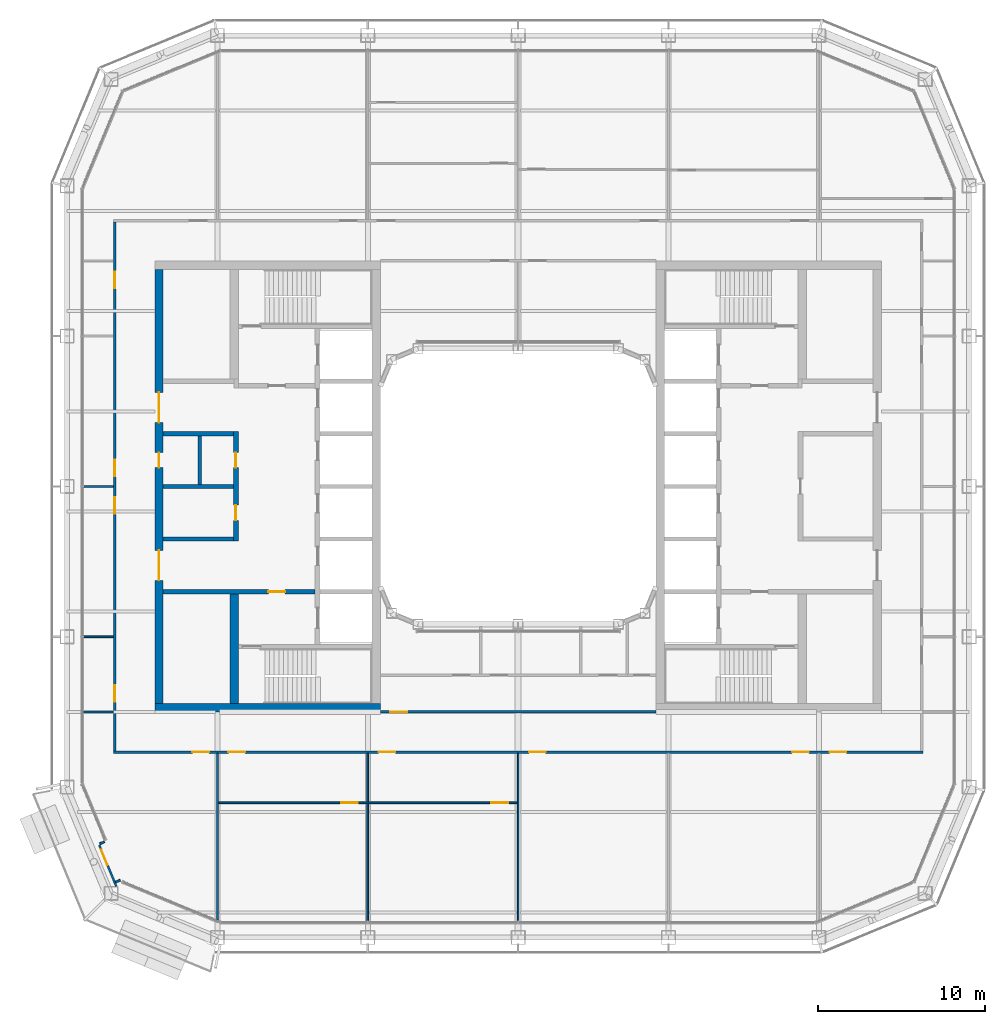
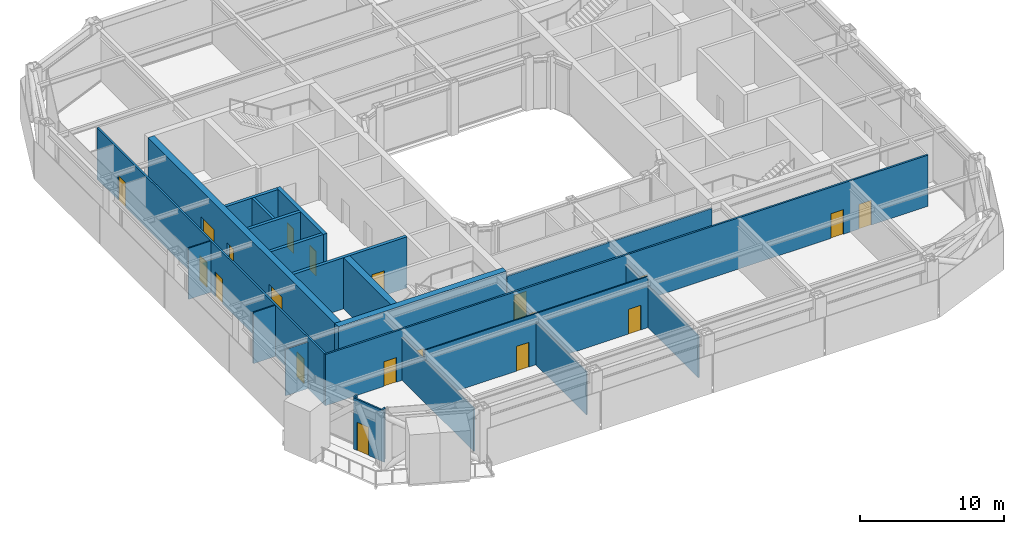
# One storey, part 13 of 24: 23 walls, 20 doors, 20 openings.
"""IFC4 building model written with IfcOpenShell, lengths in metres."""

from ifc_helpers import new_model, si_unit, direction, frame, frame_2d, origin, place, context, subcontext, project, spatial, rectangle, extrude, material, layer, layer_set, type_object, element, fill, save


model = new_model("IFC4")

# Units and contexts
model_context = context("Model", 3, precision=1e-05, world=origin(), true_north=direction((0.0, 1.0)))
body_context = subcontext(model_context, "Body", "Model", "MODEL_VIEW")
ifc_project = project(units=[si_unit("LENGTHUNIT", "METRE"), si_unit("AREAUNIT", "SQUARE_METRE"), si_unit("VOLUMEUNIT", "CUBIC_METRE"), si_unit("PLANEANGLEUNIT", "RADIAN"), si_unit("MASSUNIT", "GRAM", prefix="KILO")], contexts=[model_context])

# Site, building, storey
site_placement = place(None, origin())
site = spatial("IfcSite", under=ifc_project, at=site_placement, CompositionType="ELEMENT")
building_placement = place(site_placement, origin())
building = spatial("IfcBuilding", under=site, at=building_placement, Name="Siwar Civic Tower", CompositionType="ELEMENT")
storey_placement = place(building_placement, frame((0.0, 0.0, 215.199951171875)))
storey = spatial("IfcBuildingStorey", under=building, at=storey_placement, Name="L46", CompositionType="ELEMENT", Elevation=215.199951171875)

# Wall
ifc_material_1 = material(Name="Gypsum board on steel studs", Category="steel")
ifc_layer_1 = layer(ifc_material_1, 0.199951171875)
ifc_layer_set_1 = layer_set([ifc_layer_1], Name="Gypsum board on steel studs")
wall_type_1 = type_object("IfcWallType", Name="CORE-PARTITION-200", PredefinedType="PARTITIONING", material=ifc_layer_set_1)
wall_1_placement = place(storey_placement, frame((-19.050048828125, 0.125, 0.0), z_axis=(0.0, 0.0, 1.0), x_axis=(0.0, 1.0, 0.0)))
element("IfcWall", 1, at=wall_1_placement, inside=storey, type_object=wall_type_1, Name="Core partition W", PredefinedType="PARTITIONING", context=body_context, shape_type="SweptSolid", body=[
    extrude(rectangle(XDim=2.89990234375, YDim=0.199951171875, at=frame_2d((1.449951171875, 0.0))), origin(), (0.0, 0.0, 1.0), 4.35009765625),
])

# Wall, opening, door
ifc_material_2 = material(Name="Concrete C60/75", Category="concrete")
ifc_layer_2 = layer(ifc_material_2, 0.25)
ifc_layer_set_2 = layer_set([ifc_layer_2], Name="Concrete C60/75")
wall_type_2 = type_object("IfcWallType", Name="CORE-WALL-RC250", PredefinedType="SHEAR", material=ifc_layer_set_2)
wall_2_placement = place(storey_placement, frame((-12.14990234375, -6.300048828125, 0.0), z_axis=(0.0, 0.0, 1.0), x_axis=(-1.0, 0.0, 0.0)))
wall_2 = element("IfcWall", 2, at=wall_2_placement, inside=storey, type_object=wall_type_2, Name="Core wall W", PredefinedType="SHEAR", context=body_context, shape_type="SweptSolid", body=[
    extrude(rectangle(XDim=9.10009765625, YDim=0.25, at=frame_2d((4.550048828125, 0.0))), origin(), (0.0, 0.0, 1.0), 4.35009765625),
])
opening_1_placement = place(wall_2_placement, frame((1.800048828125, 0.0, 0.0)))
opening_1 = element("IfcOpeningElement", 3, at=opening_1_placement, cuts=wall_2, Name="Opening L46-CW02", PredefinedType="OPENING", context=body_context, shape_type="SweptSolid", body=[
    extrude(rectangle(XDim=1.0, YDim=2.10009765625, at=frame_2d((0.5, 1.050048828125))), frame((0.0, 0.135009765625, 0.0), z_axis=(0.0, -1.0, 0.0), x_axis=(1.0, 0.0, 0.0)), (0.0, 0.0, 1.0), 0.27001953125),
])
ifc_material_3 = material(Name="Steel door leaf", Category="steel")
door_type_1 = type_object("IfcDoorType", Name="CORE-DOOR-FD30S", OperationType="SINGLE_SWING_LEFT", PredefinedType="DOOR", material=ifc_material_3)
door_1_placement = place(opening_1_placement, origin())
door_1 = element("IfcDoor", 4, at=door_1_placement, inside=storey, type_object=door_type_1, Name="Service lobby door L46-CW02", OperationType="SINGLE_SWING_RIGHT", OverallHeight=2.10009765625, OverallWidth=1.0, PredefinedType="DOOR", context=body_context, shape_type="SweptSolid", body=[
    extrude(rectangle(XDim=1.0, YDim=2.10009765625, at=frame_2d((0.5, 1.050048828125))), frame((0.0, 0.02490234375, 0.0), z_axis=(0.0, -1.0, 0.0), x_axis=(1.0, 0.0, 0.0)), (0.0, 0.0, 1.0), 0.050048828125),
])
fill(opening_1, door_1)

# Walls
for number, where, z_axis, x_axis, name in (
    (5, (-17.050048828125, 0.0, 0.0), (0.0, 0.0, 1.0), (-1.0, 0.0, 0.0), "Core wall W"),
    (6, (-17.050048828125, 3.14990234375, 0.0), (0.0, 0.0, 1.0), (-1.0, 0.0, 0.0), "Core wall W"),
    (7, (-17.050048828125, -3.14990234375, 0.0), (0.0, 0.0, 1.0), (-1.0, 0.0, 0.0), "Core wall W"),
):
    element("IfcWall", number, at=place(storey_placement, frame(where, z_axis=z_axis, x_axis=x_axis)), inside=storey, type_object=wall_type_2, Name=name, PredefinedType="SHEAR", context=body_context, shape_type="SweptSolid", body=[
        extrude(rectangle(XDim=4.199951171875, YDim=0.25, at=frame_2d((2.10009765625, 0.0))), origin(), (0.0, 0.0, 1.0), 4.35009765625),
    ])

# Wall, openings, doors
ifc_material_4 = material(Name="Concrete C60/75", Category="concrete")
ifc_layer_3 = layer(ifc_material_4, 0.300048828125)
ifc_layer_set_3 = layer_set([ifc_layer_3], Name="Concrete C60/75")
wall_type_3 = type_object("IfcWallType", Name="CORE-WALL-RC300", PredefinedType="SHEAR", material=ifc_layer_set_3)
wall_3_placement = place(storey_placement, frame((-16.89990234375, -3.27490234375, 0.0), z_axis=(0.0, 0.0, 1.0), x_axis=(0.0, 1.0, 0.0)))
wall_3 = element("IfcWall", 8, at=wall_3_placement, inside=storey, type_object=wall_type_3, Name="Core wall W", PredefinedType="SHEAR", context=body_context, shape_type="SweptSolid", body=[
    extrude(rectangle(XDim=6.5498046875, YDim=0.300048828125, at=frame_2d((3.27490234375, 0.0))), origin(), (0.0, 0.0, 1.0), 4.35009765625),
])
opening_2_placement = place(wall_3_placement, frame((1.25, 0.0, 0.0)))
opening_2 = element("IfcOpeningElement", 9, at=opening_2_placement, cuts=wall_3, Name="Opening L46-CW13", PredefinedType="OPENING", context=body_context, shape_type="SweptSolid", body=[
    extrude(rectangle(XDim=0.89990234375, YDim=2.10009765625, at=frame_2d((0.449951171875, 1.050048828125))), frame((0.0, 0.16015625, 0.0), z_axis=(0.0, -1.0, 0.0), x_axis=(1.0, 0.0, 0.0)), (0.0, 0.0, 1.0), 0.320068359375),
])
opening_3_placement = place(wall_3_placement, frame((4.39990234375, 0.0, 0.0)))
opening_3 = element("IfcOpeningElement", 10, at=opening_3_placement, cuts=wall_3, Name="Opening L46-CW14", PredefinedType="OPENING", context=body_context, shape_type="SweptSolid", body=[
    extrude(rectangle(XDim=0.89990234375, YDim=2.10009765625, at=frame_2d((0.449951171875, 1.050048828125))), frame((0.0, 0.16015625, 0.0), z_axis=(0.0, -1.0, 0.0), x_axis=(1.0, 0.0, 0.0)), (0.0, 0.0, 1.0), 0.320068359375),
])
ifc_material_5 = material(Name="Steel door leaf", Category="steel")
door_type_2 = type_object("IfcDoorType", Name="CORE-DOOR-ROOM", OperationType="SINGLE_SWING_LEFT", PredefinedType="DOOR", material=ifc_material_5)
door_2_placement = place(opening_2_placement, origin())
door_2 = element("IfcDoor", 11, at=door_2_placement, inside=storey, type_object=door_type_2, Name="Core room door L46-CW13", OperationType="SINGLE_SWING_LEFT", OverallHeight=2.10009765625, OverallWidth=0.89990234375, PredefinedType="DOOR", context=body_context, shape_type="SweptSolid", body=[
    extrude(rectangle(XDim=0.89990234375, YDim=2.10009765625, at=frame_2d((0.449951171875, 1.050048828125))), frame((0.0, 0.02490234375, 0.0), z_axis=(0.0, -1.0, 0.0), x_axis=(1.0, 0.0, 0.0)), (0.0, 0.0, 1.0), 0.050048828125),
])
fill(opening_2, door_2)
door_3_placement = place(opening_3_placement, origin())
door_3 = element("IfcDoor", 12, at=door_3_placement, inside=storey, type_object=door_type_2, Name="Core room door L46-CW14", OperationType="SINGLE_SWING_RIGHT", OverallHeight=2.10009765625, OverallWidth=0.89990234375, PredefinedType="DOOR", context=body_context, shape_type="SweptSolid", body=[
    extrude(rectangle(XDim=0.89990234375, YDim=2.10009765625, at=frame_2d((0.449951171875, 1.050048828125))), frame((0.0, 0.02490234375, 0.0), z_axis=(0.0, -1.0, 0.0), x_axis=(1.0, 0.0, 0.0)), (0.0, 0.0, 1.0), 0.050048828125),
])
fill(opening_3, door_3)

ifc_material_6 = material(Name="Concrete C60/75", Category="concrete")
ifc_layer_4 = layer(ifc_material_6, 0.5)
ifc_layer_set_4 = layer_set([ifc_layer_4], Name="Concrete C60/75")
wall_type_4 = type_object("IfcWallType", Name="CORE-WALL-RC500", PredefinedType="SHEAR", material=ifc_layer_set_4)
wall_4_placement = place(storey_placement, frame((-21.5, -13.0, 0.0), z_axis=(0.0, 0.0, 1.0), x_axis=(0.0, 1.0, 0.0)))
wall_4 = element("IfcWall", 13, at=wall_4_placement, inside=storey, type_object=wall_type_4, Name="Core wall W", PredefinedType="SHEAR", context=body_context, shape_type="SweptSolid", body=[
    extrude(rectangle(XDim=26.0, YDim=0.5, at=frame_2d((13.0, 0.0))), origin(), (0.0, 0.0, 1.0), 4.35009765625),
])
opening_4_placement = place(wall_4_placement, frame((16.824951171875, 0.0, 0.0)))
opening_4 = element("IfcOpeningElement", 14, at=opening_4_placement, cuts=wall_4, Name="Opening L46-CW05", PredefinedType="OPENING", context=body_context, shape_type="SweptSolid", body=[
    extrude(rectangle(XDim=1.800048828125, YDim=2.10009765625, at=frame_2d((0.89990234375, 1.050048828125))), frame((0.0, 0.260009765625, 0.0), z_axis=(0.0, -1.0, 0.0), x_axis=(1.0, 0.0, 0.0)), (0.0, 0.0, 1.0), 0.52001953125),
])
opening_5_placement = place(wall_4_placement, frame((7.375, 0.0, 0.0)))
opening_5 = element("IfcOpeningElement", 15, at=opening_5_placement, cuts=wall_4, Name="Opening L46-CW06", PredefinedType="OPENING", context=body_context, shape_type="SweptSolid", body=[
    extrude(rectangle(XDim=1.800048828125, YDim=2.10009765625, at=frame_2d((0.89990234375, 1.050048828125))), frame((0.0, 0.260009765625, 0.0), z_axis=(0.0, -1.0, 0.0), x_axis=(1.0, 0.0, 0.0)), (0.0, 0.0, 1.0), 0.52001953125),
])
opening_6_placement = place(wall_4_placement, frame((14.125, 0.0, 0.0)))
opening_6 = element("IfcOpeningElement", 16, at=opening_6_placement, cuts=wall_4, Name="Opening L46-CW15", PredefinedType="OPENING", context=body_context, shape_type="SweptSolid", body=[
    extrude(rectangle(XDim=0.89990234375, YDim=2.10009765625, at=frame_2d((0.449951171875, 1.050048828125))), frame((0.0, 0.260009765625, 0.0), z_axis=(0.0, -1.0, 0.0), x_axis=(1.0, 0.0, 0.0)), (0.0, 0.0, 1.0), 0.52001953125),
])
ifc_material_7 = material(Name="Steel door leaf", Category="steel")
door_type_3 = type_object("IfcDoorType", Name="CORE-DOOR-PORT", OperationType="DOUBLE_DOOR_DOUBLE_SWING", PredefinedType="DOOR", material=ifc_material_7)
door_4_placement = place(opening_4_placement, origin())
door_4 = element("IfcDoor", 17, at=door_4_placement, inside=storey, type_object=door_type_3, Name="Core entrance door L46-CW05", OperationType="DOUBLE_DOOR_DOUBLE_SWING", OverallHeight=2.10009765625, OverallWidth=1.800048828125, PredefinedType="DOOR", context=body_context, shape_type="SweptSolid", body=[
    extrude(rectangle(XDim=1.800048828125, YDim=2.10009765625, at=frame_2d((0.89990234375, 1.050048828125))), frame((0.0, 0.02490234375, 0.0), z_axis=(0.0, -1.0, 0.0), x_axis=(1.0, 0.0, 0.0)), (0.0, 0.0, 1.0), 0.050048828125),
])
fill(opening_4, door_4)
door_5_placement = place(opening_5_placement, origin())
door_5 = element("IfcDoor", 18, at=door_5_placement, inside=storey, type_object=door_type_3, Name="Core entrance door L46-CW06", OperationType="DOUBLE_DOOR_DOUBLE_SWING", OverallHeight=2.10009765625, OverallWidth=1.800048828125, PredefinedType="DOOR", context=body_context, shape_type="SweptSolid", body=[
    extrude(rectangle(XDim=1.800048828125, YDim=2.10009765625, at=frame_2d((0.89990234375, 1.050048828125))), frame((0.0, 0.02490234375, 0.0), z_axis=(0.0, -1.0, 0.0), x_axis=(1.0, 0.0, 0.0)), (0.0, 0.0, 1.0), 0.050048828125),
])
fill(opening_5, door_5)
door_6_placement = place(opening_6_placement, origin())
door_6 = element("IfcDoor", 19, at=door_6_placement, inside=storey, type_object=door_type_2, Name="Core room door L46-CW15", OperationType="SINGLE_SWING_LEFT", OverallHeight=2.10009765625, OverallWidth=0.89990234375, PredefinedType="DOOR", context=body_context, shape_type="SweptSolid", body=[
    extrude(rectangle(XDim=0.89990234375, YDim=2.10009765625, at=frame_2d((0.449951171875, 1.050048828125))), frame((0.0, 0.02490234375, 0.0), z_axis=(0.0, -1.0, 0.0), x_axis=(1.0, 0.0, 0.0)), (0.0, 0.0, 1.0), 0.050048828125),
])
fill(opening_6, door_6)

# Walls
wall_5_placement = place(storey_placement, frame((-17.0, -13.0, 0.0), z_axis=(0.0, 0.0, 1.0), x_axis=(0.0, 1.0, 0.0)))
element("IfcWall", 20, at=wall_5_placement, inside=storey, type_object=wall_type_4, Name="Core wall W", PredefinedType="SHEAR", context=body_context, shape_type="SweptSolid", body=[
    extrude(rectangle(XDim=6.574951171875, YDim=0.5, at=frame_2d((3.28759765625, 0.0))), origin(), (0.0, 0.0, 1.0), 4.35009765625),
])
wall_6_placement = place(storey_placement, frame((-8.25, -13.25, 0.0), z_axis=(0.0, 0.0, 1.0), x_axis=(-1.0, 0.0, 0.0)))
element("IfcWall", 21, at=wall_6_placement, inside=storey, type_object=wall_type_4, Name="Core wall W", PredefinedType="SHEAR", context=body_context, shape_type="SweptSolid", body=[
    extrude(rectangle(XDim=13.5, YDim=0.5, at=frame_2d((6.75, 0.0))), origin(), (0.0, 0.0, 1.0), 4.35009765625),
])

# Wall, openings, doors
ifc_material_8 = material(Name="Gypsum board on steel studs", Category="steel")
ifc_layer_5 = layer(ifc_material_8, 0.14990234375)
ifc_layer_set_5 = layer_set([ifc_layer_5], Name="Gypsum board on steel studs")
wall_type_5 = type_object("IfcWallType", Name="CORRIDOR PARTITION 150 EI 30", PredefinedType="PARTITIONING", material=ifc_layer_set_5)
wall_7_placement = place(storey_placement, frame((-24.22509765625, -15.89990234375, 0.0), z_axis=(0.0, 0.0, 1.0), x_axis=(1.0, 0.0, 0.0)))
wall_7 = element("IfcWall", 22, at=wall_7_placement, inside=storey, type_object=wall_type_5, Name="L46/wall/P02", PredefinedType="PARTITIONING", context=body_context, shape_type="SweptSolid", body=[
    extrude(rectangle(XDim=48.4501953125, YDim=0.14990234375, at=frame_2d((24.22509765625, 0.0))), origin(), (0.0, 0.0, 1.0), 4.35009765625),
])
opening_7_placement = place(wall_7_placement, frame((6.875, 0.0, 0.0)))
opening_7 = element("IfcOpeningElement", 23, at=opening_7_placement, cuts=wall_7, Name="Opening D1", PredefinedType="OPENING", context=body_context, shape_type="SweptSolid", body=[
    extrude(rectangle(XDim=1.0, YDim=2.10009765625, at=frame_2d((0.5, 1.050048828125))), frame((0.0, 0.0849609375, 0.0), z_axis=(0.0, -1.0, 0.0), x_axis=(1.0, 0.0, 0.0)), (0.0, 0.0, 1.0), 0.169921875),
])
opening_8_placement = place(wall_7_placement, frame((15.875, 0.0, 0.0)))
opening_8 = element("IfcOpeningElement", 24, at=opening_8_placement, cuts=wall_7, Name="Opening D1", PredefinedType="OPENING", context=body_context, shape_type="SweptSolid", body=[
    extrude(rectangle(XDim=1.0, YDim=2.10009765625, at=frame_2d((0.5, 1.050048828125))), frame((0.0, 0.0849609375, 0.0), z_axis=(0.0, -1.0, 0.0), x_axis=(1.0, 0.0, 0.0)), (0.0, 0.0, 1.0), 0.169921875),
])
opening_9_placement = place(wall_7_placement, frame((24.875, 0.0, 0.0)))
opening_9 = element("IfcOpeningElement", 25, at=opening_9_placement, cuts=wall_7, Name="Opening D1", PredefinedType="OPENING", context=body_context, shape_type="SweptSolid", body=[
    extrude(rectangle(XDim=1.0, YDim=2.10009765625, at=frame_2d((0.5, 1.050048828125))), frame((0.0, 0.0849609375, 0.0), z_axis=(0.0, -1.0, 0.0), x_axis=(1.0, 0.0, 0.0)), (0.0, 0.0, 1.0), 0.169921875),
])
opening_10_placement = place(wall_7_placement, frame((40.625, 0.0, 0.0)))
opening_10 = element("IfcOpeningElement", 26, at=opening_10_placement, cuts=wall_7, Name="Opening D1", PredefinedType="OPENING", context=body_context, shape_type="SweptSolid", body=[
    extrude(rectangle(XDim=1.0, YDim=2.10009765625, at=frame_2d((0.5, 1.050048828125))), frame((0.0, 0.0849609375, 0.0), z_axis=(0.0, -1.0, 0.0), x_axis=(1.0, 0.0, 0.0)), (0.0, 0.0, 1.0), 0.169921875),
])
opening_11_placement = place(wall_7_placement, frame((4.72509765625, 0.0, 0.0)))
opening_11 = element("IfcOpeningElement", 27, at=opening_11_placement, cuts=wall_7, Name="Opening D1", PredefinedType="OPENING", context=body_context, shape_type="SweptSolid", body=[
    extrude(rectangle(XDim=1.0, YDim=2.10009765625, at=frame_2d((0.5, 1.050048828125))), frame((0.0, 0.0849609375, 0.0), z_axis=(0.0, -1.0, 0.0), x_axis=(1.0, 0.0, 0.0)), (0.0, 0.0, 1.0), 0.169921875),
])
opening_12_placement = place(wall_7_placement, frame((42.875, 0.0, 0.0)))
opening_12 = element("IfcOpeningElement", 28, at=opening_12_placement, cuts=wall_7, Name="Opening D1", PredefinedType="OPENING", context=body_context, shape_type="SweptSolid", body=[
    extrude(rectangle(XDim=1.0, YDim=2.10009765625, at=frame_2d((0.5, 1.050048828125))), frame((0.0, 0.0849609375, 0.0), z_axis=(0.0, -1.0, 0.0), x_axis=(1.0, 0.0, 0.0)), (0.0, 0.0, 1.0), 0.169921875),
])
ifc_material_9 = material(Name="Timber, painted", Category="wood")
door_type_4 = type_object("IfcDoorType", Name="DOOR 1000 X 2100 FD30", OperationType="SINGLE_SWING_LEFT", PredefinedType="DOOR", material=ifc_material_9)
door_7_placement = place(opening_7_placement, origin())
door_7 = element("IfcDoor", 29, at=door_7_placement, inside=storey, type_object=door_type_4, Name="L46-D09", OperationType="SINGLE_SWING_LEFT", OverallHeight=2.10009765625, OverallWidth=1.0, PredefinedType="DOOR", context=body_context, shape_type="SweptSolid", body=[
    extrude(rectangle(XDim=1.0, YDim=2.10009765625, at=frame_2d((0.5, 1.050048828125))), frame((0.0, 0.02490234375, 0.0), z_axis=(0.0, -1.0, 0.0), x_axis=(1.0, 0.0, 0.0)), (0.0, 0.0, 1.0), 0.050048828125),
])
fill(opening_7, door_7)
door_8_placement = place(opening_8_placement, origin())
door_8 = element("IfcDoor", 30, at=door_8_placement, inside=storey, type_object=door_type_4, Name="L46-D11", OperationType="SINGLE_SWING_LEFT", OverallHeight=2.10009765625, OverallWidth=1.0, PredefinedType="DOOR", context=body_context, shape_type="SweptSolid", body=[
    extrude(rectangle(XDim=1.0, YDim=2.10009765625, at=frame_2d((0.5, 1.050048828125))), frame((0.0, 0.02490234375, 0.0), z_axis=(0.0, -1.0, 0.0), x_axis=(1.0, 0.0, 0.0)), (0.0, 0.0, 1.0), 0.050048828125),
])
fill(opening_8, door_8)
door_9_placement = place(opening_9_placement, origin())
door_9 = element("IfcDoor", 31, at=door_9_placement, inside=storey, type_object=door_type_4, Name="L46-D13", OperationType="SINGLE_SWING_LEFT", OverallHeight=2.10009765625, OverallWidth=1.0, PredefinedType="DOOR", context=body_context, shape_type="SweptSolid", body=[
    extrude(rectangle(XDim=1.0, YDim=2.10009765625, at=frame_2d((0.5, 1.050048828125))), frame((0.0, 0.02490234375, 0.0), z_axis=(0.0, -1.0, 0.0), x_axis=(1.0, 0.0, 0.0)), (0.0, 0.0, 1.0), 0.050048828125),
])
fill(opening_9, door_9)
door_10_placement = place(opening_10_placement, origin())
door_10 = element("IfcDoor", 32, at=door_10_placement, inside=storey, type_object=door_type_4, Name="L46-D14", OperationType="SINGLE_SWING_RIGHT", OverallHeight=2.10009765625, OverallWidth=1.0, PredefinedType="DOOR", context=body_context, shape_type="SweptSolid", body=[
    extrude(rectangle(XDim=1.0, YDim=2.10009765625, at=frame_2d((0.5, 1.050048828125))), frame((0.0, 0.02490234375, 0.0), z_axis=(0.0, -1.0, 0.0), x_axis=(1.0, 0.0, 0.0)), (0.0, 0.0, 1.0), 0.050048828125),
])
fill(opening_10, door_10)
door_11_placement = place(opening_11_placement, origin())
door_11 = element("IfcDoor", 33, at=door_11_placement, inside=storey, type_object=door_type_4, Name="L46-D18", OperationType="SINGLE_SWING_RIGHT", OverallHeight=2.10009765625, OverallWidth=1.0, PredefinedType="DOOR", context=body_context, shape_type="SweptSolid", body=[
    extrude(rectangle(XDim=1.0, YDim=2.10009765625, at=frame_2d((0.5, 1.050048828125))), frame((0.0, 0.02490234375, 0.0), z_axis=(0.0, -1.0, 0.0), x_axis=(1.0, 0.0, 0.0)), (0.0, 0.0, 1.0), 0.050048828125),
])
fill(opening_11, door_11)
door_12_placement = place(opening_12_placement, origin())
door_12 = element("IfcDoor", 34, at=door_12_placement, inside=storey, type_object=door_type_4, Name="L46-D19", OperationType="SINGLE_SWING_LEFT", OverallHeight=2.10009765625, OverallWidth=1.0, PredefinedType="DOOR", context=body_context, shape_type="SweptSolid", body=[
    extrude(rectangle(XDim=1.0, YDim=2.10009765625, at=frame_2d((0.5, 1.050048828125))), frame((0.0, 0.02490234375, 0.0), z_axis=(0.0, -1.0, 0.0), x_axis=(1.0, 0.0, 0.0)), (0.0, 0.0, 1.0), 0.050048828125),
])
fill(opening_12, door_12)

# Wall, opening, door
wall_8_placement = place(storey_placement, frame((-8.25, -13.5, 0.0), z_axis=(0.0, 0.0, 1.0), x_axis=(1.0, 0.0, 0.0)))
wall_8 = element("IfcWall", 35, at=wall_8_placement, inside=storey, type_object=wall_type_5, Name="L46/wall/P05", PredefinedType="PARTITIONING", context=body_context, shape_type="SweptSolid", body=[
    extrude(rectangle(XDim=16.5, YDim=0.14990234375, at=frame_2d((8.25, 0.0))), origin(), (0.0, 0.0, 1.0), 3.949951171875),
])
opening_13_placement = place(wall_8_placement, frame((0.60009765625, 0.0, 0.0)))
opening_13 = element("IfcOpeningElement", 36, at=opening_13_placement, cuts=wall_8, Name="Opening D1", PredefinedType="OPENING", context=body_context, shape_type="SweptSolid", body=[
    extrude(rectangle(XDim=1.0, YDim=2.10009765625, at=frame_2d((0.5, 1.050048828125))), frame((0.0, 0.0849609375, 0.0), z_axis=(0.0, -1.0, 0.0), x_axis=(1.0, 0.0, 0.0)), (0.0, 0.0, 1.0), 0.169921875),
])
door_13_placement = place(opening_13_placement, origin())
door_13 = element("IfcDoor", 37, at=door_13_placement, inside=storey, type_object=door_type_4, Name="L46-D30", OperationType="SINGLE_SWING_RIGHT", OverallHeight=2.10009765625, OverallWidth=1.0, PredefinedType="DOOR", context=body_context, shape_type="SweptSolid", body=[
    extrude(rectangle(XDim=1.0, YDim=2.10009765625, at=frame_2d((0.5, 1.050048828125))), frame((0.0, 0.02490234375, 0.0), z_axis=(0.0, -1.0, 0.0), x_axis=(1.0, 0.0, 0.0)), (0.0, 0.0, 1.0), 0.050048828125),
])
fill(opening_13, door_13)

# Wall, openings, doors
wall_9_placement = place(storey_placement, frame((-24.14990234375, -15.824951171875, 0.0), z_axis=(0.0, 0.0, 1.0), x_axis=(0.0, 1.0, 0.0)))
wall_9 = element("IfcWall", 38, at=wall_9_placement, inside=storey, type_object=wall_type_5, Name="L46/wall/P23", PredefinedType="PARTITIONING", context=body_context, shape_type="SweptSolid", body=[
    extrude(rectangle(XDim=31.64990234375, YDim=0.14990234375, at=frame_2d((15.824951171875, 0.0))), origin(), (0.0, 0.0, 1.0), 4.35009765625),
])
opening_14_placement = place(wall_9_placement, frame((2.925048828125, 0.0, 0.0)))
opening_14 = element("IfcOpeningElement", 39, at=opening_14_placement, cuts=wall_9, Name="Opening D1", PredefinedType="OPENING", context=body_context, shape_type="SweptSolid", body=[
    extrude(rectangle(XDim=1.0, YDim=2.10009765625, at=frame_2d((0.5, 1.050048828125))), frame((0.0, 0.0849609375, 0.0), z_axis=(0.0, -1.0, 0.0), x_axis=(1.0, 0.0, 0.0)), (0.0, 0.0, 1.0), 0.169921875),
])
opening_15_placement = place(wall_9_placement, frame((14.175048828125, 0.0, 0.0)))
opening_15 = element("IfcOpeningElement", 40, at=opening_15_placement, cuts=wall_9, Name="Opening D1", PredefinedType="OPENING", context=body_context, shape_type="SweptSolid", body=[
    extrude(rectangle(XDim=1.0, YDim=2.10009765625, at=frame_2d((0.5, 1.050048828125))), frame((0.0, 0.0849609375, 0.0), z_axis=(0.0, -1.0, 0.0), x_axis=(1.0, 0.0, 0.0)), (0.0, 0.0, 1.0), 0.169921875),
])
opening_16_placement = place(wall_9_placement, frame((16.425048828125, 0.0, 0.0)))
opening_16 = element("IfcOpeningElement", 41, at=opening_16_placement, cuts=wall_9, Name="Opening D1", PredefinedType="OPENING", context=body_context, shape_type="SweptSolid", body=[
    extrude(rectangle(XDim=1.0, YDim=2.10009765625, at=frame_2d((0.5, 1.050048828125))), frame((0.0, 0.0849609375, 0.0), z_axis=(0.0, -1.0, 0.0), x_axis=(1.0, 0.0, 0.0)), (0.0, 0.0, 1.0), 0.169921875),
])
opening_17_placement = place(wall_9_placement, frame((27.675048828125, 0.0, 0.0)))
opening_17 = element("IfcOpeningElement", 42, at=opening_17_placement, cuts=wall_9, Name="Opening D1", PredefinedType="OPENING", context=body_context, shape_type="SweptSolid", body=[
    extrude(rectangle(XDim=1.0, YDim=2.10009765625, at=frame_2d((0.5, 1.050048828125))), frame((0.0, 0.0849609375, 0.0), z_axis=(0.0, -1.0, 0.0), x_axis=(1.0, 0.0, 0.0)), (0.0, 0.0, 1.0), 0.169921875),
])
door_14_placement = place(opening_14_placement, origin())
door_14 = element("IfcDoor", 43, at=door_14_placement, inside=storey, type_object=door_type_4, Name="L46-D20", OperationType="SINGLE_SWING_RIGHT", OverallHeight=2.10009765625, OverallWidth=1.0, PredefinedType="DOOR", context=body_context, shape_type="SweptSolid", body=[
    extrude(rectangle(XDim=1.0, YDim=2.10009765625, at=frame_2d((0.5, 1.050048828125))), frame((0.0, 0.02490234375, 0.0), z_axis=(0.0, -1.0, 0.0), x_axis=(1.0, 0.0, 0.0)), (0.0, 0.0, 1.0), 0.050048828125),
])
fill(opening_14, door_14)
door_15_placement = place(opening_15_placement, origin())
door_15 = element("IfcDoor", 44, at=door_15_placement, inside=storey, type_object=door_type_4, Name="L46-D21", OperationType="SINGLE_SWING_LEFT", OverallHeight=2.10009765625, OverallWidth=1.0, PredefinedType="DOOR", context=body_context, shape_type="SweptSolid", body=[
    extrude(rectangle(XDim=1.0, YDim=2.10009765625, at=frame_2d((0.5, 1.050048828125))), frame((0.0, 0.02490234375, 0.0), z_axis=(0.0, -1.0, 0.0), x_axis=(1.0, 0.0, 0.0)), (0.0, 0.0, 1.0), 0.050048828125),
])
fill(opening_15, door_15)
door_16_placement = place(opening_16_placement, origin())
door_16 = element("IfcDoor", 45, at=door_16_placement, inside=storey, type_object=door_type_4, Name="L46-D22", OperationType="SINGLE_SWING_RIGHT", OverallHeight=2.10009765625, OverallWidth=1.0, PredefinedType="DOOR", context=body_context, shape_type="SweptSolid", body=[
    extrude(rectangle(XDim=1.0, YDim=2.10009765625, at=frame_2d((0.5, 1.050048828125))), frame((0.0, 0.02490234375, 0.0), z_axis=(0.0, -1.0, 0.0), x_axis=(1.0, 0.0, 0.0)), (0.0, 0.0, 1.0), 0.050048828125),
])
fill(opening_16, door_16)
door_17_placement = place(opening_17_placement, origin())
door_17 = element("IfcDoor", 46, at=door_17_placement, inside=storey, type_object=door_type_4, Name="L46-D23", OperationType="SINGLE_SWING_LEFT", OverallHeight=2.10009765625, OverallWidth=1.0, PredefinedType="DOOR", context=body_context, shape_type="SweptSolid", body=[
    extrude(rectangle(XDim=1.0, YDim=2.10009765625, at=frame_2d((0.5, 1.050048828125))), frame((0.0, 0.02490234375, 0.0), z_axis=(0.0, -1.0, 0.0), x_axis=(1.0, 0.0, 0.0)), (0.0, 0.0, 1.0), 0.050048828125),
])
fill(opening_17, door_17)

# Walls
ifc_material_10 = material(Name="Aluminium clad insulated panel", Category="aluminium")
ifc_layer_6 = layer(ifc_material_10, 0.1201171875)
ifc_layer_set_6 = layer_set([ifc_layer_6], Name="Aluminium clad insulated panel")
wall_type_6 = type_object("IfcWallType", Name="ENV-WALL-BAL", PredefinedType="STANDARD", material=ifc_layer_set_6)
wall_10_placement = place(storey_placement, frame((-24.766357421875, -21.27587890625, 0.0), z_axis=(0.0, 0.0, 1.0), x_axis=(-0.923917630863, -0.382591441855, 0.0)))
element("IfcWall", 47, at=wall_10_placement, inside=storey, type_object=wall_type_6, Name="Balcony door wall return SW1", PredefinedType="STANDARD", context=body_context, shape_type="SweptSolid", body=[
    extrude(rectangle(XDim=0.2998046875, YDim=0.1201171875, at=frame_2d((0.14990234375, 0.0))), origin(), (0.0, 0.0, 1.0), 4.35009765625),
])
wall_11_placement = place(storey_placement, frame((-23.817626953125, -23.56640625, 0.0), z_axis=(0.0, 0.0, 1.0), x_axis=(-0.923629715641, -0.383285987724, 0.0)))
element("IfcWall", 48, at=wall_11_placement, inside=storey, type_object=wall_type_6, Name="Balcony door wall return SW1", PredefinedType="STANDARD", context=body_context, shape_type="SweptSolid", body=[
    extrude(rectangle(XDim=0.300048828125, YDim=0.1201171875, at=frame_2d((0.14990234375, 0.0))), origin(), (0.0, 0.0, 1.0), 4.35009765625),
])

# Wall, opening, door
wall_12_placement = place(storey_placement, frame((-25.075927734375, -21.468994140625, 0.0), z_axis=(0.0, 0.0, 1.0), x_axis=(0.382636771556, -0.923898858671, 0.0)))
wall_12 = element("IfcWall", 49, at=wall_12_placement, inside=storey, type_object=wall_type_6, Name="Balcony door wall SW1", PredefinedType="STANDARD", context=body_context, shape_type="SweptSolid", body=[
    extrude(rectangle(XDim=2.67333984375, YDim=0.1201171875, at=frame_2d((1.336669921875, 0.0))), origin(), (0.0, 0.0, 1.0), 4.35009765625),
])
opening_18_placement = place(wall_12_placement, frame((0.300048828125, 0.0, 0.0)))
opening_18 = element("IfcOpeningElement", 50, at=opening_18_placement, cuts=wall_12, Name="Opening D-BAL", PredefinedType="OPENING", context=body_context, shape_type="SweptSolid", body=[
    extrude(rectangle(XDim=1.0, YDim=2.39990234375, at=frame_2d((0.5, 1.199951171875))), frame((0.0, 0.070068359375, 0.0), z_axis=(0.0, -1.0, 0.0), x_axis=(1.0, 0.0, 0.0)), (0.0, 0.0, 1.0), 0.14013671875),
])
ifc_material_11 = material(Name="Aluminium and glass", Category="aluminium")
door_type_5 = type_object("IfcDoorType", Name="ENV-DOOR-BAL", OperationType="SINGLE_SWING_LEFT", PredefinedType="DOOR", material=ifc_material_11)
door_18_placement = place(opening_18_placement, origin())
door_18 = element("IfcDoor", 51, at=door_18_placement, inside=storey, type_object=door_type_5, Name="Balcony door SW", OperationType="SINGLE_SWING_LEFT", OverallHeight=2.39990234375, OverallWidth=1.0, PredefinedType="DOOR", context=body_context, shape_type="SweptSolid", body=[
    extrude(rectangle(XDim=1.0, YDim=2.39990234375, at=frame_2d((0.5, 1.199951171875))), frame((0.0, 0.02490234375, 0.0), z_axis=(0.0, -1.0, 0.0), x_axis=(1.0, 0.0, 0.0)), (0.0, 0.0, 1.0), 0.050048828125),
])
fill(opening_18, door_18)

# Wall, openings, doors
ifc_material_12 = material(Name="Gypsum board on steel studs", Category="steel")
ifc_layer_7 = layer(ifc_material_12, 0.10009765625)
ifc_layer_set_7 = layer_set([ifc_layer_7], Name="Gypsum board on steel studs")
wall_type_7 = type_object("IfcWallType", Name="PARTITION 100 GYPSUM", PredefinedType="PARTITIONING", material=ifc_layer_set_7)
wall_13_placement = place(storey_placement, frame((-17.949951171875, -18.93310546875, 0.0), z_axis=(0.0, 0.0, 1.0), x_axis=(1.0, 0.0, 0.0)))
wall_13 = element("IfcWall", 52, at=wall_13_placement, inside=storey, type_object=wall_type_7, Name="L46/wall/P01", PredefinedType="PARTITIONING", context=body_context, shape_type="SweptSolid", body=[
    extrude(rectangle(XDim=17.89990234375, YDim=0.10009765625, at=frame_2d((8.949951171875, 0.0))), origin(), (0.0, 0.0, 1.0), 4.35009765625),
])
opening_19_placement = place(wall_13_placement, frame((7.35009765625, 0.0, 0.0)))
opening_19 = element("IfcOpeningElement", 53, at=opening_19_placement, cuts=wall_13, Name="Opening D2", PredefinedType="OPENING", context=body_context, shape_type="SweptSolid", body=[
    extrude(rectangle(XDim=1.0, YDim=2.10009765625, at=frame_2d((0.5, 1.050048828125))), frame((0.0, 0.06005859375, 0.0), z_axis=(0.0, -1.0, 0.0), x_axis=(1.0, 0.0, 0.0)), (0.0, 0.0, 1.0), 0.1201171875),
])
opening_20_placement = place(wall_13_placement, frame((16.35009765625, 0.0, 0.0)))
opening_20 = element("IfcOpeningElement", 54, at=opening_20_placement, cuts=wall_13, Name="Opening D2", PredefinedType="OPENING", context=body_context, shape_type="SweptSolid", body=[
    extrude(rectangle(XDim=1.0, YDim=2.10009765625, at=frame_2d((0.5, 1.050048828125))), frame((0.0, 0.06005859375, 0.0), z_axis=(0.0, -1.0, 0.0), x_axis=(1.0, 0.0, 0.0)), (0.0, 0.0, 1.0), 0.1201171875),
])
ifc_material_13 = material(Name="Timber, painted", Category="wood")
door_type_6 = type_object("IfcDoorType", Name="DOOR 1000 X 2100", OperationType="SINGLE_SWING_LEFT", PredefinedType="DOOR", material=ifc_material_13)
door_19_placement = place(opening_19_placement, origin())
door_19 = element("IfcDoor", 55, at=door_19_placement, inside=storey, type_object=door_type_6, Name="L46-D10", OperationType="SINGLE_SWING_RIGHT", OverallHeight=2.10009765625, OverallWidth=1.0, PredefinedType="DOOR", context=body_context, shape_type="SweptSolid", body=[
    extrude(rectangle(XDim=1.0, YDim=2.10009765625, at=frame_2d((0.5, 1.050048828125))), frame((0.0, 0.02490234375, 0.0), z_axis=(0.0, -1.0, 0.0), x_axis=(1.0, 0.0, 0.0)), (0.0, 0.0, 1.0), 0.050048828125),
])
fill(opening_19, door_19)
door_20_placement = place(opening_20_placement, origin())
door_20 = element("IfcDoor", 56, at=door_20_placement, inside=storey, type_object=door_type_6, Name="L46-D12", OperationType="SINGLE_SWING_RIGHT", OverallHeight=2.10009765625, OverallWidth=1.0, PredefinedType="DOOR", context=body_context, shape_type="SweptSolid", body=[
    extrude(rectangle(XDim=1.0, YDim=2.10009765625, at=frame_2d((0.5, 1.050048828125))), frame((0.0, 0.02490234375, 0.0), z_axis=(0.0, -1.0, 0.0), x_axis=(1.0, 0.0, 0.0)), (0.0, 0.0, 1.0), 0.050048828125),
])
fill(opening_20, door_20)

# Walls
wall_14_placement = place(storey_placement, frame((-26.010009765625, -13.5, 0.0), z_axis=(0.0, 0.0, 1.0), x_axis=(1.0, 0.0, 0.0)))
element("IfcWall", 57, at=wall_14_placement, inside=storey, type_object=wall_type_7, Name="L46/wall/P03", PredefinedType="PARTITIONING", context=body_context, shape_type="SweptSolid", body=[
    extrude(rectangle(XDim=1.784912109375, YDim=0.10009765625, at=frame_2d((0.892578125, 0.0))), origin(), (0.0, 0.0, 1.0), 3.949951171875),
])
for number, where, z_axis, x_axis, name in (
    (58, (-26.010009765625, -9.0, 0.0), (0.0, 0.0, 1.0), (1.0, 0.0, 0.0), "L46/wall/P08"),
    (59, (-26.010009765625, 0.0, 0.0), (0.0, 0.0, 1.0), (1.0, 0.0, 0.0), "L46/wall/P10"),
):
    element("IfcWall", number, at=place(storey_placement, frame(where, z_axis=z_axis, x_axis=x_axis)), inside=storey, type_object=wall_type_7, Name=name, PredefinedType="PARTITIONING", context=body_context, shape_type="SweptSolid", body=[
        extrude(rectangle(XDim=1.784912109375, YDim=0.10009765625, at=frame_2d((0.892578125, 0.0))), origin(), (0.0, 0.0, 1.0), 4.35009765625),
    ])
wall_15_placement = place(storey_placement, frame((-18.0, -25.927978515625, 0.0), z_axis=(0.0, 0.0, 1.0), x_axis=(0.0, 1.0, 0.0)))
element("IfcWall", 60, at=wall_15_placement, inside=storey, type_object=wall_type_7, Name="L46/wall/P24", PredefinedType="PARTITIONING", context=body_context, shape_type="SweptSolid", body=[
    extrude(rectangle(XDim=9.952880859375, YDim=0.10009765625, at=frame_2d((4.9765625, 0.0))), origin(), (0.0, 0.0, 1.0), 3.650146484375),
])
wall_16_placement = place(storey_placement, frame((-9.0, -26.010009765625, 0.0), z_axis=(0.0, 0.0, 1.0), x_axis=(0.0, 1.0, 0.0)))
element("IfcWall", 61, at=wall_16_placement, inside=storey, type_object=wall_type_7, Name="L46/wall/P26", PredefinedType="PARTITIONING", context=body_context, shape_type="SweptSolid", body=[
    extrude(rectangle(XDim=7.027099609375, YDim=0.10009765625, at=frame_2d((3.513671875, 0.0))), origin(), (0.0, 0.0, 1.0), 3.650146484375),
])
wall_17_placement = place(storey_placement, frame((-9.0, -18.883056640625, 0.0), z_axis=(0.0, 0.0, 1.0), x_axis=(0.0, 1.0, 0.0)))
element("IfcWall", 62, at=wall_17_placement, inside=storey, type_object=wall_type_7, Name="L46/wall/P27", PredefinedType="PARTITIONING", context=body_context, shape_type="SweptSolid", body=[
    extrude(rectangle(XDim=2.907958984375, YDim=0.10009765625, at=frame_2d((1.4541015625, 0.0))), origin(), (0.0, 0.0, 1.0), 3.650146484375),
])
wall_18_placement = place(storey_placement, frame((0.0, -26.010009765625, 0.0), z_axis=(0.0, 0.0, 1.0), x_axis=(0.0, 1.0, 0.0)))
element("IfcWall", 63, at=wall_18_placement, inside=storey, type_object=wall_type_7, Name="L46/wall/P30", PredefinedType="PARTITIONING", context=body_context, shape_type="SweptSolid", body=[
    extrude(rectangle(XDim=10.034912109375, YDim=0.10009765625, at=frame_2d((5.017578125, 0.0))), origin(), (0.0, 0.0, 1.0), 3.550048828125),
])

save(model, "model.ifc")
